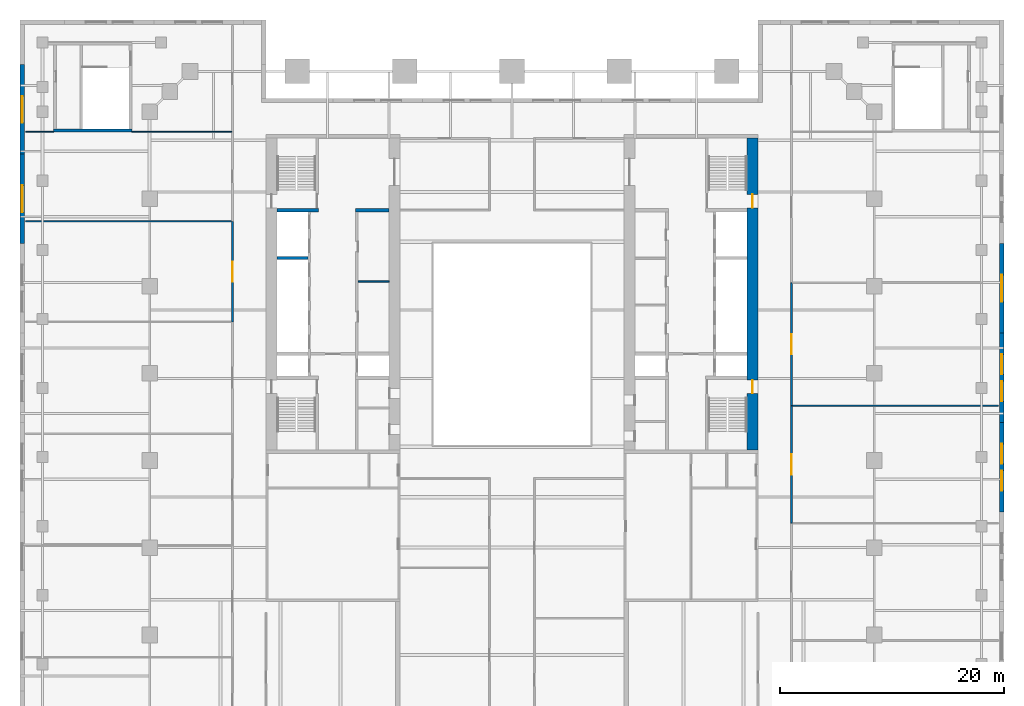
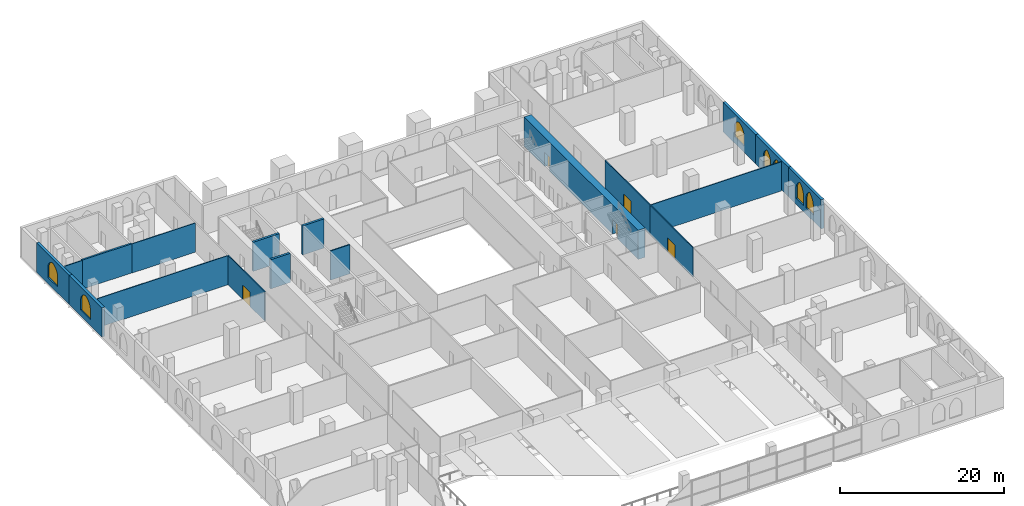
# One storey, part 14 of 18: 18 walls, 7 windows, 5 doors, 12 openings.
"""IFC4 building model written with IfcOpenShell, lengths in metres."""

from ifc_helpers import new_model, si_unit, direction, frame, frame_2d, origin, place, context, subcontext, project, spatial, polyline, rectangle, outline, extrude, material, layer, layer_set, type_object, element, fill, save


model = new_model("IFC4")

# Units and contexts
model_context = context("Model", 3, precision=1e-05, world=origin(), true_north=direction((0.0, 1.0)))
body_context = subcontext(model_context, "Body", "Model", "MODEL_VIEW")
ifc_project = project(units=[si_unit("LENGTHUNIT", "METRE"), si_unit("AREAUNIT", "SQUARE_METRE"), si_unit("VOLUMEUNIT", "CUBIC_METRE"), si_unit("PLANEANGLEUNIT", "RADIAN"), si_unit("MASSUNIT", "GRAM", prefix="KILO")], contexts=[model_context])

# Site, building, storey
site_placement = place(None, origin())
site = spatial("IfcSite", under=ifc_project, at=site_placement, CompositionType="ELEMENT")
building_placement = place(site_placement, origin())
building = spatial("IfcBuilding", under=site, at=building_placement, Name="Ogive Exchange Tower", CompositionType="ELEMENT")
storey_placement = place(building_placement, frame((0.0, 0.0, 28.800048828125)))
storey = spatial("IfcBuildingStorey", under=building, at=storey_placement, Name="L05", CompositionType="ELEMENT", Elevation=28.800048828125)

# Walls
ifc_material_1 = material(Name="Gypsum board partition")
ifc_layer_1 = layer(ifc_material_1, 0.14990234375)
ifc_layer_set_1 = layer_set([ifc_layer_1], Name="Core room partition 150 gypsum")
wall_type_1 = type_object("IfcWallType", Name="Core room partition 150 gypsum", PredefinedType="PARTITIONING", material=ifc_layer_set_1)
wall_1_placement = place(storey_placement, frame((-13.75, 12.60009765625, 0.0), z_axis=(0.0, 0.0, 1.0), x_axis=(1.0, 0.0, 0.0)))
element("IfcWall", 1, at=wall_1_placement, inside=storey, type_object=wall_type_1, Name="W row B bay partition 1-1", PredefinedType="PARTITIONING", context=body_context, shape_type="SweptSolid", body=[
    extrude(rectangle(XDim=2.75, YDim=0.14990234375, at=frame_2d((1.375, 0.0))), origin(), (0.0, 0.0, 1.0), 4.349853515625),
])
ifc_layer_2 = layer(ifc_material_1, 0.300048828125)
ifc_layer_set_2 = layer_set([ifc_layer_2], Name="Core room partition 300 gypsum")
wall_type_2 = type_object("IfcWallType", Name="Core room partition 300 gypsum", PredefinedType="PARTITIONING", material=ifc_layer_set_2)
wall_2_placement = place(storey_placement, frame((-14.0, 19.0, 0.0), z_axis=(0.0, 0.0, 1.0), x_axis=(1.0, 0.0, 0.0)))
element("IfcWall", 2, at=wall_2_placement, inside=storey, type_object=wall_type_2, Name="W row B room end wall 7", PredefinedType="PARTITIONING", context=body_context, shape_type="SweptSolid", body=[
    extrude(rectangle(XDim=3.0, YDim=0.300048828125, at=frame_2d((1.5, 0.0))), origin(), (0.0, 0.0, 1.0), 4.349853515625),
])

# Wall, opening, door
ifc_material_2 = material(Name="Fire partition EI 60 150")
ifc_layer_3 = layer(ifc_material_2, 0.14990234375)
ifc_layer_set_3 = layer_set([ifc_layer_3], Name="Fire partition EI 60 150")
wall_type_3 = type_object("IfcWallType", Name="Fire partition EI 60 150", PredefinedType="PARTITIONING", material=ifc_layer_set_3)
wall_3_placement = place(storey_placement, frame((-25.0, 9.0, 0.0), z_axis=(0.0, 0.0, 1.0), x_axis=(0.0, 1.0, 0.0)))
wall_3 = element("IfcWall", 3, at=wall_3_placement, inside=storey, type_object=wall_type_3, Name="L05-PWL-049", PredefinedType="PARTITIONING", context=body_context, shape_type="SweptSolid", body=[
    extrude(rectangle(XDim=9.0, YDim=0.14990234375, at=frame_2d((4.5, 0.0))), origin(), (0.0, 0.0, 1.0), 4.349853515625),
])
opening_1_placement = place(wall_3_placement, frame((3.60009765625, 0.0, 0.0)))
opening_1 = element("IfcOpeningElement", 4, at=opening_1_placement, cuts=wall_3, Name="Opening L05-I07", PredefinedType="OPENING", context=body_context, shape_type="SweptSolid", body=[
    extrude(rectangle(XDim=1.800048828125, YDim=2.10009765625, at=frame_2d((0.89990234375, 1.050048828125))), frame((0.0, 0.0849609375, 0.0), z_axis=(0.0, -1.0, 0.0), x_axis=(1.0, 0.0, 0.0)), (0.0, 0.0, 1.0), 0.169921875),
])
ifc_material_3 = material(Name="Fire door FD 30S 1800 x 2100")
door_type_1 = type_object("IfcDoorType", Name="Fire door FD 30S 1800 x 2100", OperationType="DOUBLE_DOOR_SINGLE_SWING", PredefinedType="DOOR", material=ifc_material_3)
door_1_placement = place(opening_1_placement, origin())
door_1 = element("IfcDoor", 5, at=door_1_placement, inside=storey, type_object=door_type_1, Name="L05-IDR-007", ObjectType="DT4", OperationType="SINGLE_SWING_RIGHT", OverallHeight=2.10009765625, OverallWidth=1.800048828125, PredefinedType="DOOR", context=body_context, shape_type="SweptSolid", body=[
    extrude(rectangle(XDim=1.800048828125, YDim=2.10009765625, at=frame_2d((0.89990234375, 1.050048828125))), frame((0.0, 0.02490234375, 0.0), z_axis=(0.0, -1.0, 0.0), x_axis=(1.0, 0.0, 0.0)), (0.0, 0.0, 1.0), 0.050048828125),
])
fill(opening_1, door_1)

wall_4_placement = place(storey_placement, frame((25.0, -9.0, 0.0), z_axis=(0.0, 0.0, 1.0), x_axis=(0.0, 1.0, 0.0)))
wall_4 = element("IfcWall", 6, at=wall_4_placement, inside=storey, type_object=wall_type_3, Name="L05-PWL-062", PredefinedType="PARTITIONING", context=body_context, shape_type="SweptSolid", body=[
    extrude(rectangle(XDim=10.5, YDim=0.14990234375, at=frame_2d((5.25, 0.0))), origin(), (0.0, 0.0, 1.0), 4.349853515625),
])
opening_2_placement = place(wall_4_placement, frame((4.35009765625, 0.0, 0.0)))
opening_2 = element("IfcOpeningElement", 7, at=opening_2_placement, cuts=wall_4, Name="Opening L05-I11", PredefinedType="OPENING", context=body_context, shape_type="SweptSolid", body=[
    extrude(rectangle(XDim=1.800048828125, YDim=2.10009765625, at=frame_2d((0.89990234375, 1.050048828125))), frame((0.0, 0.0849609375, 0.0), z_axis=(0.0, -1.0, 0.0), x_axis=(1.0, 0.0, 0.0)), (0.0, 0.0, 1.0), 0.169921875),
])
door_2_placement = place(opening_2_placement, frame((1.800048828125, 0.0, 0.0), z_axis=(0.0, 0.0, 1.0), x_axis=(-1.0, 0.0, 0.0)))
door_2 = element("IfcDoor", 8, at=door_2_placement, inside=storey, type_object=door_type_1, Name="L05-IDR-011", ObjectType="DT4", OperationType="SINGLE_SWING_LEFT", OverallHeight=2.10009765625, OverallWidth=1.800048828125, PredefinedType="DOOR", context=body_context, shape_type="SweptSolid", body=[
    extrude(rectangle(XDim=1.800048828125, YDim=2.10009765625, at=frame_2d((0.89990234375, 1.050048828125))), frame((0.0, 0.02490234375, 0.0), z_axis=(0.0, -1.0, 0.0), x_axis=(1.0, 0.0, 0.0)), (0.0, 0.0, 1.0), 0.050048828125),
])
fill(opening_2, door_2)

wall_5_placement = place(storey_placement, frame((25.0, 1.5, 0.0), z_axis=(0.0, 0.0, 1.0), x_axis=(0.0, 1.0, 0.0)))
wall_5 = element("IfcWall", 9, at=wall_5_placement, inside=storey, type_object=wall_type_3, Name="L05-PWL-063", PredefinedType="PARTITIONING", context=body_context, shape_type="SweptSolid", body=[
    extrude(rectangle(XDim=11.0, YDim=0.14990234375, at=frame_2d((5.5, 0.0))), origin(), (0.0, 0.0, 1.0), 4.349853515625),
])
opening_3_placement = place(wall_5_placement, frame((4.60009765625, 0.0, 0.0)))
opening_3 = element("IfcOpeningElement", 10, at=opening_3_placement, cuts=wall_5, Name="Opening L05-I12", PredefinedType="OPENING", context=body_context, shape_type="SweptSolid", body=[
    extrude(rectangle(XDim=1.800048828125, YDim=2.10009765625, at=frame_2d((0.89990234375, 1.050048828125))), frame((0.0, 0.0849609375, 0.0), z_axis=(0.0, -1.0, 0.0), x_axis=(1.0, 0.0, 0.0)), (0.0, 0.0, 1.0), 0.169921875),
])
door_3_placement = place(opening_3_placement, frame((1.800048828125, 0.0, 0.0), z_axis=(0.0, 0.0, 1.0), x_axis=(-1.0, 0.0, 0.0)))
door_3 = element("IfcDoor", 11, at=door_3_placement, inside=storey, type_object=door_type_1, Name="L05-IDR-012", ObjectType="DT4", OperationType="SINGLE_SWING_LEFT", OverallHeight=2.10009765625, OverallWidth=1.800048828125, PredefinedType="DOOR", context=body_context, shape_type="SweptSolid", body=[
    extrude(rectangle(XDim=1.800048828125, YDim=2.10009765625, at=frame_2d((0.89990234375, 1.050048828125))), frame((0.0, 0.02490234375, 0.0), z_axis=(0.0, -1.0, 0.0), x_axis=(1.0, 0.0, 0.0)), (0.0, 0.0, 1.0), 0.050048828125),
])
fill(opening_3, door_3)

# Wall, openings, windows
ifc_material_4 = material(Name="Precast concrete C40/50", Category="concrete")
ifc_layer_4 = layer(ifc_material_4, 0.39990234375)
ifc_layer_set_4 = layer_set([ifc_layer_4], Name="Limestone-faced wall 400")
wall_type_4 = type_object("IfcWallType", Name="Limestone-faced wall 400", PredefinedType="STANDARD", material=ifc_layer_set_4)
wall_6_placement = place(storey_placement, frame((43.800048828125, -8.0, 0.0), z_axis=(0.0, 0.0, 1.0), x_axis=(0.0, 1.0, 0.0)))
wall_6 = element("IfcWall", 12, at=wall_6_placement, inside=storey, type_object=wall_type_4, Name="Podium wall E7", PredefinedType="STANDARD", context=body_context, shape_type="SweptSolid", body=[
    extrude(rectangle(XDim=8.0, YDim=0.39990234375, at=frame_2d((4.0, 0.0))), origin(), (0.0, 0.0, 1.0), 4.349853515625),
])
opening_4_placement = place(wall_6_placement, frame((1.89990234375, 0.0, 0.89990234375)))
opening_4 = element("IfcOpeningElement", 13, at=opening_4_placement, cuts=wall_6, Name="Opening WQ285", PredefinedType="OPENING", context=body_context, shape_type="SweptSolid", body=[
    extrude(outline(polyline([(0.0, 0.0), (1.800048828125, 0.0), (1.800048828125, 1.425048828125), (1.784423828125, 1.646484375), (1.73779296875, 1.86376953125), (1.661376953125, 2.072265625), (1.55615234375, 2.267822265625), (1.4248046875, 2.44677734375), (1.269287109375, 2.60546875), (1.09326171875, 2.74072265625), (0.89990234375, 2.85009765625), (0.706787109375, 2.74072265625), (0.53076171875, 2.60546875), (0.375244140625, 2.44677734375), (0.243896484375, 2.267822265625), (0.138671875, 2.072265625), (0.062255859375, 1.86376953125), (0.015625, 1.646484375), (0.0, 1.425048828125), (0.0, 0.0)])), frame((0.0, 0.2099609375, 0.0), z_axis=(0.0, -1.0, 0.0), x_axis=(1.0, 0.0, 0.0)), (0.0, 0.0, 1.0), 0.419921875),
])
opening_5_placement = place(wall_6_placement, frame((4.300048828125, 0.0, 0.89990234375)))
opening_5 = element("IfcOpeningElement", 14, at=opening_5_placement, cuts=wall_6, Name="Opening WQ285", PredefinedType="OPENING", context=body_context, shape_type="SweptSolid", body=[
    extrude(outline(polyline([(0.0, 0.0), (1.800048828125, 0.0), (1.800048828125, 1.425048828125), (1.784423828125, 1.646484375), (1.73779296875, 1.86376953125), (1.661376953125, 2.072265625), (1.55615234375, 2.267822265625), (1.4248046875, 2.44677734375), (1.269287109375, 2.60546875), (1.09326171875, 2.74072265625), (0.89990234375, 2.85009765625), (0.706787109375, 2.74072265625), (0.53076171875, 2.60546875), (0.375244140625, 2.44677734375), (0.243896484375, 2.267822265625), (0.138671875, 2.072265625), (0.062255859375, 1.86376953125), (0.015625, 1.646484375), (0.0, 1.425048828125), (0.0, 0.0)])), frame((0.0, 0.2099609375, 0.0), z_axis=(0.0, -1.0, 0.0), x_axis=(1.0, 0.0, 0.0)), (0.0, 0.0, 1.0), 0.419921875),
])
ifc_material_5 = material(Name="Clear glass in bronze frame", Category="glass")
window_type_1 = type_object("IfcWindowType", Name="Podium paired lancet 1800 x 2850", PartitioningType="DOUBLE_PANEL_VERTICAL", PredefinedType="WINDOW", material=ifc_material_5)
window_1_placement = place(opening_4_placement, origin())
window_1 = element("IfcWindow", 15, at=window_1_placement, inside=storey, type_object=window_type_1, Name="Podium paired lancet E7.1", OverallHeight=2.85009765625, OverallWidth=1.800048828125, PartitioningType="DOUBLE_PANEL_VERTICAL", PredefinedType="WINDOW", context=body_context, shape_type="SweptSolid", body=[
    extrude(outline(polyline([(0.0, 0.0), (1.800048828125, 0.0), (1.800048828125, 1.425048828125), (1.784423828125, 1.646484375), (1.73779296875, 1.86376953125), (1.661376953125, 2.072265625), (1.55615234375, 2.267822265625), (1.4248046875, 2.44677734375), (1.269287109375, 2.60546875), (1.09326171875, 2.74072265625), (0.89990234375, 2.85009765625), (0.706787109375, 2.74072265625), (0.53076171875, 2.60546875), (0.375244140625, 2.44677734375), (0.243896484375, 2.267822265625), (0.138671875, 2.072265625), (0.062255859375, 1.86376953125), (0.015625, 1.646484375), (0.0, 1.425048828125), (0.0, 0.0)])), frame((0.0, 0.030029296875, 0.0), z_axis=(0.0, -1.0, 0.0), x_axis=(1.0, 0.0, 0.0)), (0.0, 0.0, 1.0), 0.06005859375),
])
fill(opening_4, window_1)
window_2_placement = place(opening_5_placement, origin())
window_2 = element("IfcWindow", 16, at=window_2_placement, inside=storey, type_object=window_type_1, Name="Podium paired lancet E7.2", OverallHeight=2.85009765625, OverallWidth=1.800048828125, PartitioningType="DOUBLE_PANEL_VERTICAL", PredefinedType="WINDOW", context=body_context, shape_type="SweptSolid", body=[
    extrude(outline(polyline([(0.0, 0.0), (1.800048828125, 0.0), (1.800048828125, 1.425048828125), (1.784423828125, 1.646484375), (1.73779296875, 1.86376953125), (1.661376953125, 2.072265625), (1.55615234375, 2.267822265625), (1.4248046875, 2.44677734375), (1.269287109375, 2.60546875), (1.09326171875, 2.74072265625), (0.89990234375, 2.85009765625), (0.706787109375, 2.74072265625), (0.53076171875, 2.60546875), (0.375244140625, 2.44677734375), (0.243896484375, 2.267822265625), (0.138671875, 2.072265625), (0.062255859375, 1.86376953125), (0.015625, 1.646484375), (0.0, 1.425048828125), (0.0, 0.0)])), frame((0.0, 0.030029296875, 0.0), z_axis=(0.0, -1.0, 0.0), x_axis=(1.0, 0.0, 0.0)), (0.0, 0.0, 1.0), 0.06005859375),
])
fill(opening_5, window_2)

wall_7_placement = place(storey_placement, frame((43.800048828125, 0.0, 0.0), z_axis=(0.0, 0.0, 1.0), x_axis=(0.0, 1.0, 0.0)))
wall_7 = element("IfcWall", 17, at=wall_7_placement, inside=storey, type_object=wall_type_4, Name="Podium wall E8", PredefinedType="STANDARD", context=body_context, shape_type="SweptSolid", body=[
    extrude(rectangle(XDim=8.0, YDim=0.39990234375, at=frame_2d((4.0, 0.0))), origin(), (0.0, 0.0, 1.0), 4.349853515625),
])
opening_6_placement = place(wall_7_placement, frame((1.89990234375, 0.0, 0.89990234375)))
opening_6 = element("IfcOpeningElement", 18, at=opening_6_placement, cuts=wall_7, Name="Opening WQ285", PredefinedType="OPENING", context=body_context, shape_type="SweptSolid", body=[
    extrude(outline(polyline([(0.0, 0.0), (1.800048828125, 0.0), (1.800048828125, 1.425048828125), (1.784423828125, 1.646484375), (1.73779296875, 1.86376953125), (1.661376953125, 2.072265625), (1.55615234375, 2.267822265625), (1.4248046875, 2.44677734375), (1.269287109375, 2.60546875), (1.09326171875, 2.74072265625), (0.89990234375, 2.85009765625), (0.706787109375, 2.74072265625), (0.53076171875, 2.60546875), (0.375244140625, 2.44677734375), (0.243896484375, 2.267822265625), (0.138671875, 2.072265625), (0.062255859375, 1.86376953125), (0.015625, 1.646484375), (0.0, 1.425048828125), (0.0, 0.0)])), frame((0.0, 0.2099609375, 0.0), z_axis=(0.0, -1.0, 0.0), x_axis=(1.0, 0.0, 0.0)), (0.0, 0.0, 1.0), 0.419921875),
])
opening_7_placement = place(wall_7_placement, frame((4.300048828125, 0.0, 0.89990234375)))
opening_7 = element("IfcOpeningElement", 19, at=opening_7_placement, cuts=wall_7, Name="Opening WQ285", PredefinedType="OPENING", context=body_context, shape_type="SweptSolid", body=[
    extrude(outline(polyline([(0.0, 0.0), (1.800048828125, 0.0), (1.800048828125, 1.425048828125), (1.784423828125, 1.646484375), (1.73779296875, 1.86376953125), (1.661376953125, 2.072265625), (1.55615234375, 2.267822265625), (1.4248046875, 2.44677734375), (1.269287109375, 2.60546875), (1.09326171875, 2.74072265625), (0.89990234375, 2.85009765625), (0.706787109375, 2.74072265625), (0.53076171875, 2.60546875), (0.375244140625, 2.44677734375), (0.243896484375, 2.267822265625), (0.138671875, 2.072265625), (0.062255859375, 1.86376953125), (0.015625, 1.646484375), (0.0, 1.425048828125), (0.0, 0.0)])), frame((0.0, 0.2099609375, 0.0), z_axis=(0.0, -1.0, 0.0), x_axis=(1.0, 0.0, 0.0)), (0.0, 0.0, 1.0), 0.419921875),
])
window_3_placement = place(opening_6_placement, origin())
window_3 = element("IfcWindow", 20, at=window_3_placement, inside=storey, type_object=window_type_1, Name="Podium paired lancet E8.1", OverallHeight=2.85009765625, OverallWidth=1.800048828125, PartitioningType="DOUBLE_PANEL_VERTICAL", PredefinedType="WINDOW", context=body_context, shape_type="SweptSolid", body=[
    extrude(outline(polyline([(0.0, 0.0), (1.800048828125, 0.0), (1.800048828125, 1.425048828125), (1.784423828125, 1.646484375), (1.73779296875, 1.86376953125), (1.661376953125, 2.072265625), (1.55615234375, 2.267822265625), (1.4248046875, 2.44677734375), (1.269287109375, 2.60546875), (1.09326171875, 2.74072265625), (0.89990234375, 2.85009765625), (0.706787109375, 2.74072265625), (0.53076171875, 2.60546875), (0.375244140625, 2.44677734375), (0.243896484375, 2.267822265625), (0.138671875, 2.072265625), (0.062255859375, 1.86376953125), (0.015625, 1.646484375), (0.0, 1.425048828125), (0.0, 0.0)])), frame((0.0, 0.030029296875, 0.0), z_axis=(0.0, -1.0, 0.0), x_axis=(1.0, 0.0, 0.0)), (0.0, 0.0, 1.0), 0.06005859375),
])
fill(opening_6, window_3)
window_4_placement = place(opening_7_placement, origin())
window_4 = element("IfcWindow", 21, at=window_4_placement, inside=storey, type_object=window_type_1, Name="Podium paired lancet E8.2", OverallHeight=2.85009765625, OverallWidth=1.800048828125, PartitioningType="DOUBLE_PANEL_VERTICAL", PredefinedType="WINDOW", context=body_context, shape_type="SweptSolid", body=[
    extrude(outline(polyline([(0.0, 0.0), (1.800048828125, 0.0), (1.800048828125, 1.425048828125), (1.784423828125, 1.646484375), (1.73779296875, 1.86376953125), (1.661376953125, 2.072265625), (1.55615234375, 2.267822265625), (1.4248046875, 2.44677734375), (1.269287109375, 2.60546875), (1.09326171875, 2.74072265625), (0.89990234375, 2.85009765625), (0.706787109375, 2.74072265625), (0.53076171875, 2.60546875), (0.375244140625, 2.44677734375), (0.243896484375, 2.267822265625), (0.138671875, 2.072265625), (0.062255859375, 1.86376953125), (0.015625, 1.646484375), (0.0, 1.425048828125), (0.0, 0.0)])), frame((0.0, 0.030029296875, 0.0), z_axis=(0.0, -1.0, 0.0), x_axis=(1.0, 0.0, 0.0)), (0.0, 0.0, 1.0), 0.06005859375),
])
fill(opening_7, window_4)

# Wall, opening, window
wall_8_placement = place(storey_placement, frame((43.800048828125, 8.0, 0.0), z_axis=(0.0, 0.0, 1.0), x_axis=(0.0, 1.0, 0.0)))
wall_8 = element("IfcWall", 22, at=wall_8_placement, inside=storey, type_object=wall_type_4, Name="Podium wall E9", PredefinedType="STANDARD", context=body_context, shape_type="SweptSolid", body=[
    extrude(rectangle(XDim=8.0, YDim=0.39990234375, at=frame_2d((4.0, 0.0))), origin(), (0.0, 0.0, 1.0), 4.349853515625),
])
opening_8_placement = place(wall_8_placement, frame((2.800048828125, 0.0, 0.89990234375)))
opening_8 = element("IfcOpeningElement", 23, at=opening_8_placement, cuts=wall_8, Name="Opening WP285", PredefinedType="OPENING", context=body_context, shape_type="SweptSolid", body=[
    extrude(outline(polyline([(0.0, 0.0), (2.39990234375, 0.0), (2.39990234375, 1.425048828125), (2.3779296875, 1.6767578125), (2.312255859375, 1.9208984375), (2.205322265625, 2.149658203125), (2.06005859375, 2.3564453125), (1.880859375, 2.534912109375), (1.673583984375, 2.679443359375), (1.4443359375, 2.785400390625), (1.199951171875, 2.85009765625), (0.95556640625, 2.785400390625), (0.726318359375, 2.679443359375), (0.51904296875, 2.534912109375), (0.33984375, 2.3564453125), (0.194580078125, 2.149658203125), (0.087646484375, 1.9208984375), (0.02197265625, 1.6767578125), (0.0, 1.425048828125), (0.0, 0.0)])), frame((0.0, 0.2099609375, 0.0), z_axis=(0.0, -1.0, 0.0), x_axis=(1.0, 0.0, 0.0)), (0.0, 0.0, 1.0), 0.419921875),
])
window_type_2 = type_object("IfcWindowType", Name="Podium lancet window 2400 x 2850", PartitioningType="DOUBLE_PANEL_VERTICAL", PredefinedType="WINDOW", material=ifc_material_5)
window_5_placement = place(opening_8_placement, origin())
window_5 = element("IfcWindow", 24, at=window_5_placement, inside=storey, type_object=window_type_2, Name="Podium window E9", OverallHeight=2.85009765625, OverallWidth=2.39990234375, PartitioningType="DOUBLE_PANEL_VERTICAL", PredefinedType="WINDOW", context=body_context, shape_type="SweptSolid", body=[
    extrude(outline(polyline([(0.0, 0.0), (2.39990234375, 0.0), (2.39990234375, 1.425048828125), (2.3779296875, 1.6767578125), (2.312255859375, 1.9208984375), (2.205322265625, 2.149658203125), (2.06005859375, 2.3564453125), (1.880859375, 2.534912109375), (1.673583984375, 2.679443359375), (1.4443359375, 2.785400390625), (1.199951171875, 2.85009765625), (0.95556640625, 2.785400390625), (0.726318359375, 2.679443359375), (0.51904296875, 2.534912109375), (0.33984375, 2.3564453125), (0.194580078125, 2.149658203125), (0.087646484375, 1.9208984375), (0.02197265625, 1.6767578125), (0.0, 1.425048828125), (0.0, 0.0)])), frame((0.0, 0.030029296875, 0.0), z_axis=(0.0, -1.0, 0.0), x_axis=(1.0, 0.0, 0.0)), (0.0, 0.0, 1.0), 0.06005859375),
])
fill(opening_8, window_5)

wall_9_placement = place(storey_placement, frame((-43.800048828125, 32.0, 0.0), z_axis=(0.0, 0.0, 1.0), x_axis=(0.0, -1.0, 0.0)))
wall_9 = element("IfcWall", 25, at=wall_9_placement, inside=storey, type_object=wall_type_4, Name="Podium wall W2", PredefinedType="STANDARD", context=body_context, shape_type="SweptSolid", body=[
    extrude(rectangle(XDim=8.0, YDim=0.39990234375, at=frame_2d((4.0, 0.0))), origin(), (0.0, 0.0, 1.0), 4.349853515625),
])
opening_9_placement = place(wall_9_placement, frame((2.800048828125, 0.0, 0.89990234375)))
opening_9 = element("IfcOpeningElement", 26, at=opening_9_placement, cuts=wall_9, Name="Opening WP285", PredefinedType="OPENING", context=body_context, shape_type="SweptSolid", body=[
    extrude(outline(polyline([(0.0, 0.0), (2.39990234375, 0.0), (2.39990234375, 1.425048828125), (2.3779296875, 1.6767578125), (2.312255859375, 1.9208984375), (2.205322265625, 2.149658203125), (2.06005859375, 2.3564453125), (1.880859375, 2.534912109375), (1.673583984375, 2.679443359375), (1.4443359375, 2.785400390625), (1.199951171875, 2.85009765625), (0.95556640625, 2.785400390625), (0.726318359375, 2.679443359375), (0.51904296875, 2.534912109375), (0.33984375, 2.3564453125), (0.194580078125, 2.149658203125), (0.087646484375, 1.9208984375), (0.02197265625, 1.6767578125), (0.0, 1.425048828125), (0.0, 0.0)])), frame((0.0, 0.2099609375, 0.0), z_axis=(0.0, -1.0, 0.0), x_axis=(1.0, 0.0, 0.0)), (0.0, 0.0, 1.0), 0.419921875),
])
window_6_placement = place(opening_9_placement, origin())
window_6 = element("IfcWindow", 27, at=window_6_placement, inside=storey, type_object=window_type_2, Name="Podium window W2", OverallHeight=2.85009765625, OverallWidth=2.39990234375, PartitioningType="DOUBLE_PANEL_VERTICAL", PredefinedType="WINDOW", context=body_context, shape_type="SweptSolid", body=[
    extrude(outline(polyline([(0.0, 0.0), (2.39990234375, 0.0), (2.39990234375, 1.425048828125), (2.3779296875, 1.6767578125), (2.312255859375, 1.9208984375), (2.205322265625, 2.149658203125), (2.06005859375, 2.3564453125), (1.880859375, 2.534912109375), (1.673583984375, 2.679443359375), (1.4443359375, 2.785400390625), (1.199951171875, 2.85009765625), (0.95556640625, 2.785400390625), (0.726318359375, 2.679443359375), (0.51904296875, 2.534912109375), (0.33984375, 2.3564453125), (0.194580078125, 2.149658203125), (0.087646484375, 1.9208984375), (0.02197265625, 1.6767578125), (0.0, 1.425048828125), (0.0, 0.0)])), frame((0.0, 0.030029296875, 0.0), z_axis=(0.0, -1.0, 0.0), x_axis=(1.0, 0.0, 0.0)), (0.0, 0.0, 1.0), 0.06005859375),
])
fill(opening_9, window_6)

wall_10_placement = place(storey_placement, frame((-43.800048828125, 24.0, 0.0), z_axis=(0.0, 0.0, 1.0), x_axis=(0.0, -1.0, 0.0)))
wall_10 = element("IfcWall", 28, at=wall_10_placement, inside=storey, type_object=wall_type_4, Name="Podium wall W3", PredefinedType="STANDARD", context=body_context, shape_type="SweptSolid", body=[
    extrude(rectangle(XDim=8.0, YDim=0.39990234375, at=frame_2d((4.0, 0.0))), origin(), (0.0, 0.0, 1.0), 4.349853515625),
])
opening_10_placement = place(wall_10_placement, frame((2.800048828125, 0.0, 0.89990234375)))
opening_10 = element("IfcOpeningElement", 29, at=opening_10_placement, cuts=wall_10, Name="Opening WP285", PredefinedType="OPENING", context=body_context, shape_type="SweptSolid", body=[
    extrude(outline(polyline([(0.0, 0.0), (2.39990234375, 0.0), (2.39990234375, 1.425048828125), (2.3779296875, 1.6767578125), (2.312255859375, 1.9208984375), (2.205322265625, 2.149658203125), (2.06005859375, 2.3564453125), (1.880859375, 2.534912109375), (1.673583984375, 2.679443359375), (1.4443359375, 2.785400390625), (1.199951171875, 2.85009765625), (0.95556640625, 2.785400390625), (0.726318359375, 2.679443359375), (0.51904296875, 2.534912109375), (0.33984375, 2.3564453125), (0.194580078125, 2.149658203125), (0.087646484375, 1.9208984375), (0.02197265625, 1.6767578125), (0.0, 1.425048828125), (0.0, 0.0)])), frame((0.0, 0.2099609375, 0.0), z_axis=(0.0, -1.0, 0.0), x_axis=(1.0, 0.0, 0.0)), (0.0, 0.0, 1.0), 0.419921875),
])
window_7_placement = place(opening_10_placement, origin())
window_7 = element("IfcWindow", 30, at=window_7_placement, inside=storey, type_object=window_type_2, Name="Podium window W3", OverallHeight=2.85009765625, OverallWidth=2.39990234375, PartitioningType="DOUBLE_PANEL_VERTICAL", PredefinedType="WINDOW", context=body_context, shape_type="SweptSolid", body=[
    extrude(outline(polyline([(0.0, 0.0), (2.39990234375, 0.0), (2.39990234375, 1.425048828125), (2.3779296875, 1.6767578125), (2.312255859375, 1.9208984375), (2.205322265625, 2.149658203125), (2.06005859375, 2.3564453125), (1.880859375, 2.534912109375), (1.673583984375, 2.679443359375), (1.4443359375, 2.785400390625), (1.199951171875, 2.85009765625), (0.95556640625, 2.785400390625), (0.726318359375, 2.679443359375), (0.51904296875, 2.534912109375), (0.33984375, 2.3564453125), (0.194580078125, 2.149658203125), (0.087646484375, 1.9208984375), (0.02197265625, 1.6767578125), (0.0, 1.425048828125), (0.0, 0.0)])), frame((0.0, 0.030029296875, 0.0), z_axis=(0.0, -1.0, 0.0), x_axis=(1.0, 0.0, 0.0)), (0.0, 0.0, 1.0), 0.06005859375),
])
fill(opening_10, window_7)

# Walls
ifc_material_6 = material(Name="Partition 100 gypsum")
ifc_layer_5 = layer(ifc_material_6, 0.10009765625)
ifc_layer_set_5 = layer_set([ifc_layer_5], Name="Partition 100 gypsum")
wall_type_5 = type_object("IfcWallType", Name="Partition 100 gypsum", PredefinedType="PARTITIONING", material=ifc_layer_set_5)
for number, where, z_axis, x_axis, name in (
    (31, (25.074951171875, 1.5, 0.0), (0.0, 0.0, 1.0), (1.0, 0.0, 0.0), "L05-PWL-027"),
    (32, (-43.5, 18.0, 0.0), (0.0, 0.0, 1.0), (1.0, 0.0, 0.0), "L05-PWL-032"),
):
    element("IfcWall", number, at=place(storey_placement, frame(where, z_axis=z_axis, x_axis=x_axis)), inside=storey, type_object=wall_type_5, Name=name, PredefinedType="PARTITIONING", context=body_context, shape_type="SweptSolid", body=[
        extrude(rectangle(XDim=18.425048828125, YDim=0.10009765625, at=frame_2d((9.21240234375, 0.0))), origin(), (0.0, 0.0, 1.0), 4.349853515625),
    ])
wall_11_placement = place(storey_placement, frame((-43.5, 26.0, 0.0), z_axis=(0.0, 0.0, 1.0), x_axis=(1.0, 0.0, 0.0)))
element("IfcWall", 33, at=wall_11_placement, inside=storey, type_object=wall_type_5, Name="L05-PWL-037", PredefinedType="PARTITIONING", context=body_context, shape_type="SweptSolid", body=[
    extrude(rectangle(XDim=2.5, YDim=0.10009765625, at=frame_2d((1.25, 0.0))), origin(), (0.0, 0.0, 1.0), 4.349853515625),
])
wall_12_placement = place(storey_placement, frame((-34.0, 26.0, 0.0), z_axis=(0.0, 0.0, 1.0), x_axis=(1.0, 0.0, 0.0)))
element("IfcWall", 34, at=wall_12_placement, inside=storey, type_object=wall_type_5, Name="L05-PWL-038", PredefinedType="PARTITIONING", context=body_context, shape_type="SweptSolid", body=[
    extrude(rectangle(XDim=8.925048828125, YDim=0.10009765625, at=frame_2d((4.46240234375, 0.0))), origin(), (0.0, 0.0, 1.0), 4.349853515625),
])

# Wall, openings, doors
ifc_material_7 = material(Name="Concrete C70/85", Category="concrete")
ifc_layer_6 = layer(ifc_material_7, 1.0)
ifc_layer_set_6 = layer_set([ifc_layer_6], Name="RC core wall 1000 C70/85")
wall_type_6 = type_object("IfcWallType", Name="RC core wall 1000 C70/85", PredefinedType="SHEAR", material=ifc_layer_set_6)
wall_13_placement = place(storey_placement, frame((21.5, -2.449951171875, 0.0), z_axis=(0.0, 0.0, 1.0), x_axis=(0.0, 1.0, 0.0)))
wall_13 = element("IfcWall", 35, at=wall_13_placement, inside=storey, type_object=wall_type_6, Name="E outer wall", PredefinedType="SHEAR", context=body_context, shape_type="SweptSolid", body=[
    extrude(rectangle(XDim=27.89990234375, YDim=1.0, at=frame_2d((13.949951171875, 0.0))), origin(), (0.0, 0.0, 1.0), 4.349853515625),
])
opening_11_placement = place(wall_13_placement, frame((5.050048828125, 0.0, 0.0)))
opening_11 = element("IfcOpeningElement", 36, at=opening_11_placement, cuts=wall_13, Name="Opening L05-C36", PredefinedType="OPENING", context=body_context, shape_type="SweptSolid", body=[
    extrude(rectangle(XDim=1.199951171875, YDim=2.10009765625, at=frame_2d((0.60009765625, 1.050048828125))), frame((0.0, 0.510009765625, 0.0), z_axis=(0.0, -1.0, 0.0), x_axis=(1.0, 0.0, 0.0)), (0.0, 0.0, 1.0), 1.02001953125),
])
opening_12_placement = place(wall_13_placement, frame((21.64990234375, 0.0, 0.0)))
opening_12 = element("IfcOpeningElement", 37, at=opening_12_placement, cuts=wall_13, Name="Opening L05-C38", PredefinedType="OPENING", context=body_context, shape_type="SweptSolid", body=[
    extrude(rectangle(XDim=1.199951171875, YDim=2.10009765625, at=frame_2d((0.60009765625, 1.050048828125))), frame((0.0, 0.510009765625, 0.0), z_axis=(0.0, -1.0, 0.0), x_axis=(1.0, 0.0, 0.0)), (0.0, 0.0, 1.0), 1.02001953125),
])
ifc_material_8 = material(Name="Steel fire door", Category="steel")
door_type_2 = type_object("IfcDoorType", Name="Stair door FD90 1200 x 2100", OperationType="NOTDEFINED", PredefinedType="DOOR", material=ifc_material_8)
door_4_placement = place(opening_11_placement, origin())
door_4 = element("IfcDoor", 38, at=door_4_placement, inside=storey, type_object=door_type_2, Name="Stair door", ObjectType="CD5", OperationType="SINGLE_SWING_LEFT", OverallHeight=2.10009765625, OverallWidth=1.199951171875, PredefinedType="DOOR", context=body_context, shape_type="SweptSolid", body=[
    extrude(rectangle(XDim=1.199951171875, YDim=2.10009765625, at=frame_2d((0.60009765625, 1.050048828125))), frame((0.0, 0.02490234375, 0.0), z_axis=(0.0, -1.0, 0.0), x_axis=(1.0, 0.0, 0.0)), (0.0, 0.0, 1.0), 0.050048828125),
])
fill(opening_11, door_4)
door_5_placement = place(opening_12_placement, origin())
door_5 = element("IfcDoor", 39, at=door_5_placement, inside=storey, type_object=door_type_2, Name="Stair door", ObjectType="CD5", OperationType="SINGLE_SWING_RIGHT", OverallHeight=2.10009765625, OverallWidth=1.199951171875, PredefinedType="DOOR", context=body_context, shape_type="SweptSolid", body=[
    extrude(rectangle(XDim=1.199951171875, YDim=2.10009765625, at=frame_2d((0.60009765625, 1.050048828125))), frame((0.0, 0.02490234375, 0.0), z_axis=(0.0, -1.0, 0.0), x_axis=(1.0, 0.0, 0.0)), (0.0, 0.0, 1.0), 0.050048828125),
])
fill(opening_12, door_5)

# Walls
ifc_layer_7 = layer(ifc_material_7, 0.25)
ifc_layer_set_7 = layer_set([ifc_layer_7], Name="RC core wall 250 C70/85")
wall_type_7 = type_object("IfcWallType", Name="RC core wall 250 C70/85", PredefinedType="SHEAR", material=ifc_layer_set_7)
wall_14_placement = place(storey_placement, frame((-41.0, 26.125, 0.0), z_axis=(0.0, 0.0, 1.0), x_axis=(1.0, 0.0, 0.0)))
element("IfcWall", 40, at=wall_14_placement, inside=storey, type_object=wall_type_7, Name="PS3 south wall", PredefinedType="SHEAR", context=body_context, shape_type="SweptSolid", body=[
    extrude(rectangle(XDim=7.0, YDim=0.25, at=frame_2d((3.5, 0.0))), origin(), (0.0, 0.0, 1.0), 4.349853515625),
])
ifc_layer_8 = layer(ifc_material_7, 0.300048828125)
ifc_layer_set_8 = layer_set([ifc_layer_8], Name="RC core wall 300 C70/85")
wall_type_8 = type_object("IfcWallType", Name="RC core wall 300 C70/85", PredefinedType="SHEAR", material=ifc_layer_set_8)
wall_15_placement = place(storey_placement, frame((-21.0, 19.0, 0.0), z_axis=(0.0, 0.0, 1.0), x_axis=(1.0, 0.0, 0.0)))
element("IfcWall", 41, at=wall_15_placement, inside=storey, type_object=wall_type_8, Name="W stair N south wall", PredefinedType="SHEAR", context=body_context, shape_type="SweptSolid", body=[
    extrude(rectangle(XDim=3.699951171875, YDim=0.300048828125, at=frame_2d((1.85009765625, 0.0))), origin(), (0.0, 0.0, 1.0), 4.349853515625),
])
wall_16_placement = place(storey_placement, frame((-21.0, 14.71435546875, 0.0), z_axis=(0.0, 0.0, 1.0), x_axis=(1.0, 0.0, 0.0)))
element("IfcWall", 42, at=wall_16_placement, inside=storey, type_object=wall_type_8, Name="W row A divider 5", PredefinedType="SHEAR", context=body_context, shape_type="SweptSolid", body=[
    extrude(rectangle(XDim=2.75, YDim=0.300048828125, at=frame_2d((1.375, 0.0))), origin(), (0.0, 0.0, 1.0), 4.349853515625),
])

save(model, "model.ifc")
